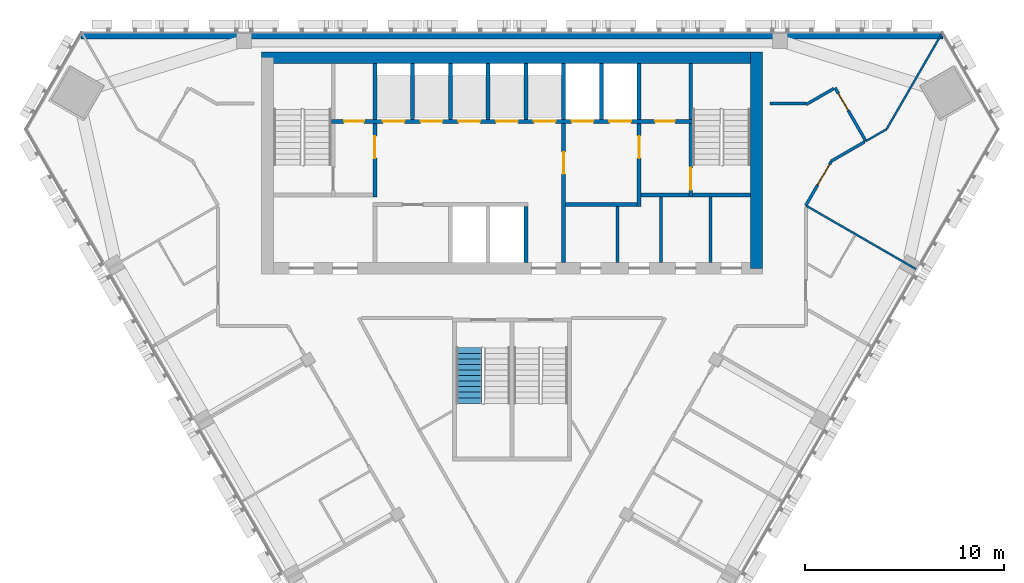
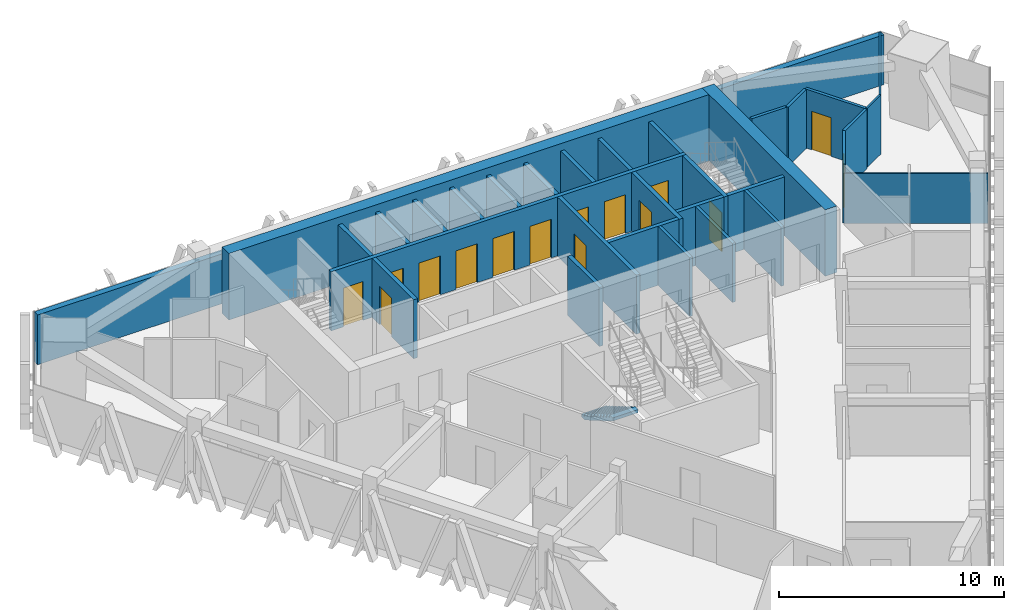
# One storey, part 10 of 14: 32 walls, 15 doors, 1 stair flight, 15 openings, 1 element without a shape of its own.
"""IFC4 building model written with IfcOpenShell, lengths in metres."""

from ifc_helpers import new_model, si_unit, direction, frame, frame_2d, origin, place, context, subcontext, project, spatial, polyline, rectangle, outline, extrude, material, layer, layer_set, type_object, element, fill, aggregate, save


model = new_model("IFC4")

# Units and contexts
model_context = context("Model", 3, precision=1e-05, world=origin(), true_north=direction((0.0, 1.0)))
body_context = subcontext(model_context, "Body", "Model", "MODEL_VIEW")
ifc_project = project(units=[si_unit("LENGTHUNIT", "METRE"), si_unit("AREAUNIT", "SQUARE_METRE"), si_unit("VOLUMEUNIT", "CUBIC_METRE"), si_unit("PLANEANGLEUNIT", "RADIAN"), si_unit("MASSUNIT", "GRAM", prefix="KILO")], contexts=[model_context])

# Site, building, storey
site_placement = place(None, origin())
site = spatial("IfcSite", under=ifc_project, at=site_placement, CompositionType="ELEMENT")
building_placement = place(site_placement, origin())
building = spatial("IfcBuilding", under=site, at=building_placement, Name="Altiplano Prism Tower", CompositionType="ELEMENT")
storey_placement = place(building_placement, frame((0.0, 0.0, 230.199951171875)))
storey = spatial("IfcBuildingStorey", under=building, at=storey_placement, Name="L59", CompositionType="ELEMENT", Elevation=230.199951171875)

# Walls
ifc_material_1 = material(Name="Concrete C60/75", Category="concrete")
ifc_layer_1 = layer(ifc_material_1, 0.60009765625)
ifc_layer_set_1 = layer_set([ifc_layer_1], Name="Concrete C60/75")
wall_type_1 = type_object("IfcWallType", Name="Core wall 600", PredefinedType="SHEAR", material=ifc_layer_set_1)
wall_1_placement = place(storey_placement, frame((97.300048828125, 93.10009765625, 0.0), z_axis=(0.0, 0.0, 1.0), x_axis=(0.0, 1.0, 0.0)))
element("IfcWall", 1, at=wall_1_placement, inside=storey, type_object=wall_type_1, Name="Core wall E L59", PredefinedType="SHEAR", context=body_context, shape_type="SweptSolid", body=[
    extrude(rectangle(XDim=10.89990234375, YDim=0.60009765625, at=frame_2d((5.449951171875, 0.0))), origin(), (0.0, 0.0, 1.0), 3.60009765625),
])
wall_2_placement = place(storey_placement, frame((97.300048828125, 103.699951171875, 0.0), z_axis=(0.0, 0.0, 1.0), x_axis=(-1.0, 0.0, 0.0)))
element("IfcWall", 2, at=wall_2_placement, inside=storey, type_object=wall_type_1, Name="Core wall N L59", PredefinedType="SHEAR", context=body_context, shape_type="SweptSolid", body=[
    extrude(rectangle(XDim=24.900146484375, YDim=0.60009765625, at=frame_2d((12.4501953125, 0.0))), origin(), (0.0, 0.0, 1.0), 3.60009765625),
])
ifc_material_2 = material(Name="Plasterboard on steel stud", Category="steel")
ifc_layer_2 = layer(ifc_material_2, 0.10009765625)
ifc_layer_set_2 = layer_set([ifc_layer_2], Name="Plasterboard on steel stud")
wall_type_2 = type_object("IfcWallType", Name="Partition 100 wet", PredefinedType="PARTITIONING", material=ifc_layer_set_2)
wall_3_placement = place(storey_placement, frame((105.3349609375, 93.0615234375, 0.0), z_axis=(0.0, 0.0, 1.0), x_axis=(-0.866025499775, 0.499999833739, 0.0)))
element("IfcWall", 3, at=wall_3_placement, inside=storey, type_object=wall_type_2, Name="Partition P03 L59 052", PredefinedType="PARTITIONING", context=body_context, shape_type="SweptSolid", body=[
    extrude(rectangle(XDim=6.39990234375, YDim=0.10009765625, at=frame_2d((3.199951171875, 0.0))), origin(), (0.0, 0.0, 1.0), 2.699951171875),
])
wall_4_placement = place(storey_placement, frame((106.6298828125, 104.89990234375, 0.0), z_axis=(0.0, 0.0, 1.0), x_axis=(-0.50001619095, -0.866016055733, 0.0)))
element("IfcWall", 4, at=wall_4_placement, inside=storey, type_object=wall_type_2, Name="Partition P03 L59 053", PredefinedType="PARTITIONING", context=body_context, shape_type="SweptSolid", body=[
    extrude(rectangle(XDim=5.539794921875, YDim=0.10009765625, at=frame_2d((2.77001953125, 0.0))), origin(), (0.0, 0.0, 1.0), 2.699951171875),
])
wall_5_placement = place(storey_placement, frame((103.85986328125, 100.102294921875, 0.0), z_axis=(0.0, 0.0, 1.0), x_axis=(-0.86599977965, -0.500044379676, 0.0)))
element("IfcWall", 5, at=wall_5_placement, inside=storey, type_object=wall_type_2, Name="Partition P03 L59 054", PredefinedType="PARTITIONING", context=body_context, shape_type="SweptSolid", body=[
    extrude(rectangle(XDim=1.20361328125, YDim=0.10009765625, at=frame_2d((0.601806640625, 0.0))), origin(), (0.0, 0.0, 1.0), 3.199951171875),
])

# Wall, opening, door
ifc_layer_3 = layer(ifc_material_2, 0.14990234375)
ifc_layer_set_3 = layer_set([ifc_layer_3], Name="Plasterboard on steel stud")
wall_type_3 = type_object("IfcWallType", Name="Partition 150 corridor", PredefinedType="PARTITIONING", material=ifc_layer_set_3)
wall_6_placement = place(storey_placement, frame((99.79248046875, 96.261474609375, 0.0), z_axis=(0.0, 0.0, 1.0), x_axis=(0.499948666432, 0.866055039205, 0.0)))
wall_6 = element("IfcWall", 6, at=wall_6_placement, inside=storey, type_object=wall_type_3, Name="Partition P06 L59 015", PredefinedType="PARTITIONING", context=body_context, shape_type="SweptSolid", body=[
    extrude(rectangle(XDim=2.584716796875, YDim=0.14990234375, at=frame_2d((1.29248046875, 0.0))), origin(), (0.0, 0.0, 1.0), 3.199951171875),
])
opening_1_placement = place(wall_6_placement, frame((1.18505859375, 0.0, 0.0)))
opening_1 = element("IfcOpeningElement", 7, at=opening_1_placement, cuts=wall_6, Name="Opening D1970", PredefinedType="OPENING", context=body_context, shape_type="SweptSolid", body=[
    extrude(rectangle(XDim=1.199951171875, YDim=2.10009765625, at=frame_2d((0.60009765625, 1.050048828125))), frame((0.0, 0.08544921875, 0.0), z_axis=(0.0, -1.0, 0.0), x_axis=(1.0, 0.0, 0.0)), (0.0, 0.0, 1.0), 0.1708984375),
])
ifc_material_3 = material(Name="Timber", Category="wood")
door_type_1 = type_object("IfcDoorType", Name="Shared room door 1200 x 2100", OperationType="NOTDEFINED", PredefinedType="NOTDEFINED", material=ifc_material_3)
door_1_placement = place(opening_1_placement, origin())
door_1 = element("IfcDoor", 8, at=door_1_placement, inside=storey, type_object=door_type_1, Name="Door D1970", OperationType="SINGLE_SWING_LEFT", OverallHeight=2.10009765625, OverallWidth=1.199951171875, PredefinedType="NOTDEFINED", context=body_context, shape_type="SweptSolid", body=[
    extrude(rectangle(XDim=1.199951171875, YDim=2.10009765625, at=frame_2d((0.60009765625, 1.050048828125))), frame((0.0, 0.02490234375, 0.0), z_axis=(0.0, -1.0, 0.0), x_axis=(1.0, 0.0, 0.0)), (0.0, 0.0, 1.0), 0.050048828125),
])
fill(opening_1, door_1)

# Wall
wall_7_placement = place(storey_placement, frame((101.084716796875, 98.5, 0.0), z_axis=(0.0, 0.0, 1.0), x_axis=(0.86605048973, 0.49995654735, 0.0)))
element("IfcWall", 9, at=wall_7_placement, inside=storey, type_object=wall_type_3, Name="Partition P06 L59 016", PredefinedType="PARTITIONING", context=body_context, shape_type="SweptSolid", body=[
    extrude(rectangle(XDim=1.926025390625, YDim=0.14990234375, at=frame_2d((0.962890625, 0.0))), origin(), (0.0, 0.0, 1.0), 3.199951171875),
])

# Wall, opening, door
wall_8_placement = place(storey_placement, frame((102.817626953125, 99.50048828125, 0.0), z_axis=(0.0, 0.0, 1.0), x_axis=(-0.50007687212, 0.865981017096, 0.0)))
wall_8 = element("IfcWall", 10, at=wall_8_placement, inside=storey, type_object=wall_type_3, Name="Partition P06 L59 020", PredefinedType="PARTITIONING", context=body_context, shape_type="SweptSolid", body=[
    extrude(rectangle(XDim=3.1005859375, YDim=0.14990234375, at=frame_2d((1.55029296875, 0.0))), origin(), (0.0, 0.0, 1.0), 3.199951171875),
])
opening_2_placement = place(wall_8_placement, frame((1.77587890625, 0.0, 0.0)))
opening_2 = element("IfcOpeningElement", 11, at=opening_2_placement, cuts=wall_8, Name="Opening D1972", PredefinedType="OPENING", context=body_context, shape_type="SweptSolid", body=[
    extrude(rectangle(XDim=1.0, YDim=2.10009765625, at=frame_2d((0.5, 1.050048828125))), frame((0.0, 0.08544921875, 0.0), z_axis=(0.0, -1.0, 0.0), x_axis=(1.0, 0.0, 0.0)), (0.0, 0.0, 1.0), 0.1708984375),
])
door_type_2 = type_object("IfcDoorType", Name="Room door 1000 x 2100", OperationType="NOTDEFINED", PredefinedType="NOTDEFINED", material=ifc_material_3)
door_2_placement = place(opening_2_placement, origin())
door_2 = element("IfcDoor", 12, at=door_2_placement, inside=storey, type_object=door_type_2, Name="Door D1972", OperationType="SINGLE_SWING_LEFT", OverallHeight=2.10009765625, OverallWidth=1.0, PredefinedType="NOTDEFINED", context=body_context, shape_type="SweptSolid", body=[
    extrude(rectangle(XDim=1.0, YDim=2.10009765625, at=frame_2d((0.5, 1.050048828125))), frame((0.0, 0.02490234375, 0.0), z_axis=(0.0, -1.0, 0.0), x_axis=(1.0, 0.0, 0.0)), (0.0, 0.0, 1.0), 0.050048828125),
])
fill(opening_2, door_2)

# Walls
wall_9_placement = place(storey_placement, frame((101.2021484375, 102.148193359375, 0.0), z_axis=(0.0, 0.0, 1.0), x_axis=(-0.866106948778, -0.499858733323, 0.0)))
element("IfcWall", 13, at=wall_9_placement, inside=storey, type_object=wall_type_3, Name="Partition P06 L59 021", PredefinedType="PARTITIONING", context=body_context, shape_type="SweptSolid", body=[
    extrude(rectangle(XDim=1.6025390625, YDim=0.14990234375, at=frame_2d((0.80126953125, 0.0))), origin(), (0.0, 0.0, 1.0), 3.199951171875),
])
wall_10_placement = place(storey_placement, frame((99.800048828125, 101.40087890625, 0.0), z_axis=(0.0, 0.0, 1.0), x_axis=(-1.0, 0.0, 0.0)))
element("IfcWall", 14, at=wall_10_placement, inside=storey, type_object=wall_type_3, Name="Partition P06 L59 022", PredefinedType="PARTITIONING", context=body_context, shape_type="SweptSolid", body=[
    extrude(rectangle(XDim=1.800048828125, YDim=0.14990234375, at=frame_2d((0.89990234375, 0.0))), origin(), (0.0, 0.0, 1.0), 3.199951171875),
])
ifc_material_4 = material(Name="Fire-rated gypsum board partition")
ifc_layer_4 = layer(ifc_material_4, 0.14990234375)
ifc_layer_set_4 = layer_set([ifc_layer_4], Name="Fire-rated gypsum board partition")
wall_type_4 = type_object("IfcWallType", Name="Room partition 150", PredefinedType="PARTITIONING", material=ifc_layer_set_4)
wall_11_placement = place(storey_placement, frame((90.300048828125, 93.39990234375, 0.0), z_axis=(0.0, 0.0, 1.0), x_axis=(0.0, 1.0, 0.0)))
element("IfcWall", 15, at=wall_11_placement, inside=storey, type_object=wall_type_4, Name="Room partition L59", PredefinedType="PARTITIONING", context=body_context, shape_type="SweptSolid", body=[
    extrude(rectangle(XDim=2.800048828125, YDim=0.14990234375, at=frame_2d((1.39990234375, 0.0))), origin(), (0.0, 0.0, 1.0), 3.199951171875),
])
for number, where, z_axis, x_axis, name in (
    (16, (92.5, 93.39990234375, 0.0), (0.0, 0.0, 1.0), (0.0, 1.0, 0.0), "Room partition L59"),
    (17, (95.0, 93.39990234375, 0.0), (0.0, 0.0, 1.0), (0.0, 1.0, 0.0), "Room partition L59"),
):
    element("IfcWall", number, at=place(storey_placement, frame(where, z_axis=z_axis, x_axis=x_axis)), inside=storey, type_object=wall_type_4, Name=name, PredefinedType="PARTITIONING", context=body_context, shape_type="SweptSolid", body=[
        extrude(rectangle(XDim=3.300048828125, YDim=0.14990234375, at=frame_2d((1.64990234375, 0.0))), origin(), (0.0, 0.0, 1.0), 3.199951171875),
    ])
ifc_layer_5 = layer(ifc_material_1, 0.199951171875)
ifc_layer_set_5 = layer_set([ifc_layer_5], Name="Concrete C60/75")
wall_type_5 = type_object("IfcWallType", Name="Shaft wall 200", PredefinedType="SOLIDWALL", material=ifc_layer_set_5)
wall_12_placement = place(storey_placement, frame((85.699951171875, 93.39990234375, 0.0), z_axis=(0.0, 0.0, 1.0), x_axis=(0.0, 1.0, 0.0)))
element("IfcWall", 18, at=wall_12_placement, inside=storey, type_object=wall_type_5, Name="Shaft wall L59", PredefinedType="SOLIDWALL", context=body_context, shape_type="SweptSolid", body=[
    extrude(rectangle(XDim=2.800048828125, YDim=0.199951171875, at=frame_2d((1.39990234375, 0.0))), origin(), (0.0, 0.0, 1.0), 3.199951171875),
])
for number, where, z_axis, x_axis, name in (
    (19, (78.10009765625, 100.60009765625, 0.0), (0.0, 0.0, 1.0), (0.0, 1.0, 0.0), "Shaft wall L59"),
    (20, (80.0, 100.60009765625, 0.0), (0.0, 0.0, 1.0), (0.0, 1.0, 0.0), "Shaft wall L59"),
    (21, (81.89990234375, 100.60009765625, 0.0), (0.0, 0.0, 1.0), (0.0, 1.0, 0.0), "Shaft wall L59"),
    (22, (83.800048828125, 100.60009765625, 0.0), (0.0, 0.0, 1.0), (0.0, 1.0, 0.0), "Shaft wall L59"),
    (23, (85.699951171875, 100.60009765625, 0.0), (0.0, 0.0, 1.0), (0.0, 1.0, 0.0), "Shaft wall L59"),
    (24, (87.60009765625, 100.60009765625, 0.0), (0.0, 0.0, 1.0), (0.0, 1.0, 0.0), "Shaft wall L59"),
    (25, (89.5, 100.60009765625, 0.0), (0.0, 0.0, 1.0), (0.0, 1.0, 0.0), "Shaft wall L59"),
    (26, (91.39990234375, 100.60009765625, 0.0), (0.0, 0.0, 1.0), (0.0, 1.0, 0.0), "Shaft wall L59"),
):
    element("IfcWall", number, at=place(storey_placement, frame(where, z_axis=z_axis, x_axis=x_axis)), inside=storey, type_object=wall_type_5, Name=name, PredefinedType="SOLIDWALL", context=body_context, shape_type="SweptSolid", body=[
        extrude(rectangle(XDim=2.7998046875, YDim=0.199951171875, at=frame_2d((1.39990234375, 0.0))), origin(), (0.0, 0.0, 1.0), 3.199951171875),
    ])

# Wall, opening, door
ifc_layer_6 = layer(ifc_material_1, 0.199951171875)
ifc_layer_set_6 = layer_set([ifc_layer_6], Name="Concrete C60/75")
wall_type_6 = type_object("IfcWallType", Name="Stair wall 200", PredefinedType="SOLIDWALL", material=ifc_layer_set_6)
wall_13_placement = place(storey_placement, frame((94.0, 96.699951171875, 0.0), z_axis=(0.0, 0.0, 1.0), x_axis=(0.0, 1.0, 0.0)))
wall_13 = element("IfcWall", 27, at=wall_13_placement, inside=storey, type_object=wall_type_6, Name="Stair wall L59", PredefinedType="SOLIDWALL", context=body_context, shape_type="SweptSolid", body=[
    extrude(rectangle(XDim=3.699951171875, YDim=0.199951171875, at=frame_2d((1.85009765625, 0.0))), origin(), (0.0, 0.0, 1.0), 3.199951171875),
])
opening_3_placement = place(wall_13_placement, frame((0.35009765625, 0.0, 0.0)))
opening_3 = element("IfcOpeningElement", 28, at=opening_3_placement, cuts=wall_13, Name="Opening D3400", PredefinedType="OPENING", context=body_context, shape_type="SweptSolid", body=[
    extrude(rectangle(XDim=1.10009765625, YDim=2.10009765625, at=frame_2d((0.550048828125, 1.050048828125))), frame((0.0, 0.1103515625, 0.0), z_axis=(0.0, -1.0, 0.0), x_axis=(1.0, 0.0, 0.0)), (0.0, 0.0, 1.0), 0.220947265625),
])
ifc_material_5 = material(Name="Fire-rated steel door", Category="steel")
door_type_3 = type_object("IfcDoorType", Name="Stair fire door 1100 x 2100", OperationType="NOTDEFINED", PredefinedType="NOTDEFINED", material=ifc_material_5)
door_3_placement = place(opening_3_placement, origin())
door_3 = element("IfcDoor", 29, at=door_3_placement, inside=storey, type_object=door_type_3, Name="Stair fire door D3400", OperationType="SINGLE_SWING_LEFT", OverallHeight=2.10009765625, OverallWidth=1.10009765625, PredefinedType="NOTDEFINED", context=body_context, shape_type="SweptSolid", body=[
    extrude(rectangle(XDim=1.10009765625, YDim=2.10009765625, at=frame_2d((0.550048828125, 1.050048828125))), frame((0.0, 0.02490234375, 0.0), z_axis=(0.0, -1.0, 0.0), x_axis=(1.0, 0.0, 0.0)), (0.0, 0.0, 1.0), 0.050048828125),
])
fill(opening_3, door_3)

# Wall
wall_14_placement = place(storey_placement, frame((94.10009765625, 96.800048828125, 0.0), z_axis=(0.0, 0.0, 1.0), x_axis=(1.0, 0.0, 0.0)))
element("IfcWall", 30, at=wall_14_placement, inside=storey, type_object=wall_type_6, Name="Stair wall L59", PredefinedType="SOLIDWALL", context=body_context, shape_type="SweptSolid", body=[
    extrude(rectangle(XDim=2.89990234375, YDim=0.199951171875, at=frame_2d((1.449951171875, 0.0))), origin(), (0.0, 0.0, 1.0), 3.199951171875),
])

# Wall, openings, doors
wall_15_placement = place(storey_placement, frame((75.89990234375, 100.5, 0.0), z_axis=(0.0, 0.0, 1.0), x_axis=(1.0, 0.0, 0.0)))
wall_15 = element("IfcWall", 31, at=wall_15_placement, inside=storey, type_object=wall_type_6, Name="Stair wall L59", PredefinedType="SOLIDWALL", context=body_context, shape_type="SweptSolid", body=[
    extrude(rectangle(XDim=18.2001953125, YDim=0.199951171875, at=frame_2d((9.10009765625, 0.0))), origin(), (0.0, 0.0, 1.0), 3.199951171875),
])
opening_4_placement = place(wall_15_placement, frame((2.60009765625, 0.0, 0.0)))
opening_4 = element("IfcOpeningElement", 32, at=opening_4_placement, cuts=wall_15, Name="Opening LD-ML1-L59", PredefinedType="OPENING", context=body_context, shape_type="SweptSolid", body=[
    extrude(rectangle(XDim=1.10009765625, YDim=2.10009765625, at=frame_2d((0.550048828125, 1.050048828125))), frame((0.0, 0.1103515625, 0.0), z_axis=(0.0, -1.0, 0.0), x_axis=(1.0, 0.0, 0.0)), (0.0, 0.0, 1.0), 0.220947265625),
])
opening_5_placement = place(wall_15_placement, frame((4.5, 0.0, 0.0)))
opening_5 = element("IfcOpeningElement", 33, at=opening_5_placement, cuts=wall_15, Name="Opening LD-ML2-L59", PredefinedType="OPENING", context=body_context, shape_type="SweptSolid", body=[
    extrude(rectangle(XDim=1.10009765625, YDim=2.10009765625, at=frame_2d((0.550048828125, 1.050048828125))), frame((0.0, 0.1103515625, 0.0), z_axis=(0.0, -1.0, 0.0), x_axis=(1.0, 0.0, 0.0)), (0.0, 0.0, 1.0), 0.220947265625),
])
opening_6_placement = place(wall_15_placement, frame((6.39990234375, 0.0, 0.0)))
opening_6 = element("IfcOpeningElement", 34, at=opening_6_placement, cuts=wall_15, Name="Opening LD-ML3-L59", PredefinedType="OPENING", context=body_context, shape_type="SweptSolid", body=[
    extrude(rectangle(XDim=1.10009765625, YDim=2.10009765625, at=frame_2d((0.550048828125, 1.050048828125))), frame((0.0, 0.1103515625, 0.0), z_axis=(0.0, -1.0, 0.0), x_axis=(1.0, 0.0, 0.0)), (0.0, 0.0, 1.0), 0.220947265625),
])
opening_7_placement = place(wall_15_placement, frame((8.300048828125, 0.0, 0.0)))
opening_7 = element("IfcOpeningElement", 35, at=opening_7_placement, cuts=wall_15, Name="Opening LD-ML4-L59", PredefinedType="OPENING", context=body_context, shape_type="SweptSolid", body=[
    extrude(rectangle(XDim=1.10009765625, YDim=2.10009765625, at=frame_2d((0.550048828125, 1.050048828125))), frame((0.0, 0.1103515625, 0.0), z_axis=(0.0, -1.0, 0.0), x_axis=(1.0, 0.0, 0.0)), (0.0, 0.0, 1.0), 0.220947265625),
])
opening_8_placement = place(wall_15_placement, frame((10.199951171875, 0.0, 0.0)))
opening_8 = element("IfcOpeningElement", 36, at=opening_8_placement, cuts=wall_15, Name="Opening LD-ML5-L59", PredefinedType="OPENING", context=body_context, shape_type="SweptSolid", body=[
    extrude(rectangle(XDim=1.10009765625, YDim=2.10009765625, at=frame_2d((0.550048828125, 1.050048828125))), frame((0.0, 0.1103515625, 0.0), z_axis=(0.0, -1.0, 0.0), x_axis=(1.0, 0.0, 0.0)), (0.0, 0.0, 1.0), 0.220947265625),
])
opening_9_placement = place(wall_15_placement, frame((12.10009765625, 0.0, 0.0)))
opening_9 = element("IfcOpeningElement", 37, at=opening_9_placement, cuts=wall_15, Name="Opening LD-FF1-L59", PredefinedType="OPENING", context=body_context, shape_type="SweptSolid", body=[
    extrude(rectangle(XDim=1.10009765625, YDim=2.10009765625, at=frame_2d((0.550048828125, 1.050048828125))), frame((0.0, 0.1103515625, 0.0), z_axis=(0.0, -1.0, 0.0), x_axis=(1.0, 0.0, 0.0)), (0.0, 0.0, 1.0), 0.220947265625),
])
opening_10_placement = place(wall_15_placement, frame((14.0, 0.0, 0.0)))
opening_10 = element("IfcOpeningElement", 38, at=opening_10_placement, cuts=wall_15, Name="Opening LD-FF2-L59", PredefinedType="OPENING", context=body_context, shape_type="SweptSolid", body=[
    extrude(rectangle(XDim=1.10009765625, YDim=2.10009765625, at=frame_2d((0.550048828125, 1.050048828125))), frame((0.0, 0.1103515625, 0.0), z_axis=(0.0, -1.0, 0.0), x_axis=(1.0, 0.0, 0.0)), (0.0, 0.0, 1.0), 0.220947265625),
])
opening_11_placement = place(wall_15_placement, frame((0.64990234375, 0.0, 0.0)))
opening_11 = element("IfcOpeningElement", 39, at=opening_11_placement, cuts=wall_15, Name="Opening D3407", PredefinedType="OPENING", context=body_context, shape_type="SweptSolid", body=[
    extrude(rectangle(XDim=1.0, YDim=2.10009765625, at=frame_2d((0.5, 1.050048828125))), frame((0.0, 0.1103515625, 0.0), z_axis=(0.0, -1.0, 0.0), x_axis=(1.0, 0.0, 0.0)), (0.0, 0.0, 1.0), 0.220947265625),
])
opening_12_placement = place(wall_15_placement, frame((16.300048828125, 0.0, 0.0)))
opening_12 = element("IfcOpeningElement", 40, at=opening_12_placement, cuts=wall_15, Name="Opening D3408", PredefinedType="OPENING", context=body_context, shape_type="SweptSolid", body=[
    extrude(rectangle(XDim=1.0, YDim=2.10009765625, at=frame_2d((0.5, 1.050048828125))), frame((0.0, 0.1103515625, 0.0), z_axis=(0.0, -1.0, 0.0), x_axis=(1.0, 0.0, 0.0)), (0.0, 0.0, 1.0), 0.220947265625),
])
door_type_4 = type_object("IfcDoorType", Name="Core room door 1000 x 2100", OperationType="NOTDEFINED", PredefinedType="NOTDEFINED", material=ifc_material_5)
door_4_placement = place(opening_11_placement, origin())
door_4 = element("IfcDoor", 41, at=door_4_placement, inside=storey, type_object=door_type_4, Name="Core room door D3407", OperationType="SINGLE_SWING_LEFT", OverallHeight=2.10009765625, OverallWidth=1.0, PredefinedType="NOTDEFINED", context=body_context, shape_type="SweptSolid", body=[
    extrude(rectangle(XDim=1.0, YDim=2.10009765625, at=frame_2d((0.5, 1.050048828125))), frame((0.0, 0.02490234375, 0.0), z_axis=(0.0, -1.0, 0.0), x_axis=(1.0, 0.0, 0.0)), (0.0, 0.0, 1.0), 0.050048828125),
])
fill(opening_11, door_4)
door_5_placement = place(opening_12_placement, origin())
door_5 = element("IfcDoor", 42, at=door_5_placement, inside=storey, type_object=door_type_4, Name="Core room door D3408", OperationType="SINGLE_SWING_RIGHT", OverallHeight=2.10009765625, OverallWidth=1.0, PredefinedType="NOTDEFINED", context=body_context, shape_type="SweptSolid", body=[
    extrude(rectangle(XDim=1.0, YDim=2.10009765625, at=frame_2d((0.5, 1.050048828125))), frame((0.0, 0.02490234375, 0.0), z_axis=(0.0, -1.0, 0.0), x_axis=(1.0, 0.0, 0.0)), (0.0, 0.0, 1.0), 0.050048828125),
])
fill(opening_12, door_5)
ifc_material_6 = material(Name="Stainless steel landing door", Category="steel")
door_type_5 = type_object("IfcDoorType", Name="Landing door 1100 x 2100", OperationType="NOTDEFINED", PredefinedType="NOTDEFINED", material=ifc_material_6)
door_6_placement = place(opening_4_placement, origin())
door_6 = element("IfcDoor", 43, at=door_6_placement, inside=storey, type_object=door_type_5, Name="Landing doors ML1", OperationType="SLIDING_TO_RIGHT", OverallHeight=2.10009765625, OverallWidth=1.10009765625, PredefinedType="NOTDEFINED", context=body_context, shape_type="SweptSolid", body=[
    extrude(rectangle(XDim=1.10009765625, YDim=2.10009765625, at=frame_2d((0.550048828125, 1.050048828125))), frame((0.0, 0.02490234375, 0.0), z_axis=(0.0, -1.0, 0.0), x_axis=(1.0, 0.0, 0.0)), (0.0, 0.0, 1.0), 0.050048828125),
])
fill(opening_4, door_6)
door_7_placement = place(opening_5_placement, origin())
door_7 = element("IfcDoor", 44, at=door_7_placement, inside=storey, type_object=door_type_5, Name="Landing doors ML2", OperationType="SLIDING_TO_LEFT", OverallHeight=2.10009765625, OverallWidth=1.10009765625, PredefinedType="NOTDEFINED", context=body_context, shape_type="SweptSolid", body=[
    extrude(rectangle(XDim=1.10009765625, YDim=2.10009765625, at=frame_2d((0.550048828125, 1.050048828125))), frame((0.0, 0.02490234375, 0.0), z_axis=(0.0, -1.0, 0.0), x_axis=(1.0, 0.0, 0.0)), (0.0, 0.0, 1.0), 0.050048828125),
])
fill(opening_5, door_7)
door_8_placement = place(opening_6_placement, origin())
door_8 = element("IfcDoor", 45, at=door_8_placement, inside=storey, type_object=door_type_5, Name="Landing doors ML3", OperationType="SLIDING_TO_RIGHT", OverallHeight=2.10009765625, OverallWidth=1.10009765625, PredefinedType="NOTDEFINED", context=body_context, shape_type="SweptSolid", body=[
    extrude(rectangle(XDim=1.10009765625, YDim=2.10009765625, at=frame_2d((0.550048828125, 1.050048828125))), frame((0.0, 0.02490234375, 0.0), z_axis=(0.0, -1.0, 0.0), x_axis=(1.0, 0.0, 0.0)), (0.0, 0.0, 1.0), 0.050048828125),
])
fill(opening_6, door_8)
door_9_placement = place(opening_7_placement, origin())
door_9 = element("IfcDoor", 46, at=door_9_placement, inside=storey, type_object=door_type_5, Name="Landing doors ML4", OperationType="SLIDING_TO_LEFT", OverallHeight=2.10009765625, OverallWidth=1.10009765625, PredefinedType="NOTDEFINED", context=body_context, shape_type="SweptSolid", body=[
    extrude(rectangle(XDim=1.10009765625, YDim=2.10009765625, at=frame_2d((0.550048828125, 1.050048828125))), frame((0.0, 0.02490234375, 0.0), z_axis=(0.0, -1.0, 0.0), x_axis=(1.0, 0.0, 0.0)), (0.0, 0.0, 1.0), 0.050048828125),
])
fill(opening_7, door_9)
door_10_placement = place(opening_8_placement, origin())
door_10 = element("IfcDoor", 47, at=door_10_placement, inside=storey, type_object=door_type_5, Name="Landing doors ML5", OperationType="SLIDING_TO_RIGHT", OverallHeight=2.10009765625, OverallWidth=1.10009765625, PredefinedType="NOTDEFINED", context=body_context, shape_type="SweptSolid", body=[
    extrude(rectangle(XDim=1.10009765625, YDim=2.10009765625, at=frame_2d((0.550048828125, 1.050048828125))), frame((0.0, 0.02490234375, 0.0), z_axis=(0.0, -1.0, 0.0), x_axis=(1.0, 0.0, 0.0)), (0.0, 0.0, 1.0), 0.050048828125),
])
fill(opening_8, door_10)
door_11_placement = place(opening_9_placement, origin())
door_11 = element("IfcDoor", 48, at=door_11_placement, inside=storey, type_object=door_type_5, Name="Landing doors FF1", OperationType="SLIDING_TO_RIGHT", OverallHeight=2.10009765625, OverallWidth=1.10009765625, PredefinedType="NOTDEFINED", context=body_context, shape_type="SweptSolid", body=[
    extrude(rectangle(XDim=1.10009765625, YDim=2.10009765625, at=frame_2d((0.550048828125, 1.050048828125))), frame((0.0, 0.02490234375, 0.0), z_axis=(0.0, -1.0, 0.0), x_axis=(1.0, 0.0, 0.0)), (0.0, 0.0, 1.0), 0.050048828125),
])
fill(opening_9, door_11)
door_12_placement = place(opening_10_placement, origin())
door_12 = element("IfcDoor", 49, at=door_12_placement, inside=storey, type_object=door_type_5, Name="Landing doors FF2", OperationType="SLIDING_TO_LEFT", OverallHeight=2.10009765625, OverallWidth=1.10009765625, PredefinedType="NOTDEFINED", context=body_context, shape_type="SweptSolid", body=[
    extrude(rectangle(XDim=1.10009765625, YDim=2.10009765625, at=frame_2d((0.550048828125, 1.050048828125))), frame((0.0, 0.02490234375, 0.0), z_axis=(0.0, -1.0, 0.0), x_axis=(1.0, 0.0, 0.0)), (0.0, 0.0, 1.0), 0.050048828125),
])
fill(opening_10, door_12)

# Walls
wall_16_placement = place(storey_placement, frame((94.0, 100.60009765625, 0.0), z_axis=(0.0, 0.0, 1.0), x_axis=(0.0, 1.0, 0.0)))
element("IfcWall", 50, at=wall_16_placement, inside=storey, type_object=wall_type_6, Name="Stair wall L59", PredefinedType="SOLIDWALL", context=body_context, shape_type="SweptSolid", body=[
    extrude(rectangle(XDim=2.7998046875, YDim=0.199951171875, at=frame_2d((1.39990234375, 0.0))), origin(), (0.0, 0.0, 1.0), 3.199951171875),
])
ifc_material_7 = material(Name="Concrete C40", Category="concrete")
ifc_layer_7 = layer(ifc_material_7, 0.300048828125)
ifc_layer_set_7 = layer_set([ifc_layer_7], Name="Concrete C40")
wall_type_7 = type_object("IfcWallType", Name="Stone-clad external wall 300", PredefinedType="SOLIDWALL", material=ifc_layer_set_7)
wall_17_placement = place(storey_placement, frame((63.312255859375, 104.7900390625, 0.0), z_axis=(0.0, 0.0, 1.0), x_axis=(1.0, 0.0, 0.0)))
element("IfcWall", 51, at=wall_17_placement, inside=storey, type_object=wall_type_7, Name="External wall north face L59", PredefinedType="SOLIDWALL", context=body_context, shape_type="SweptSolid", body=[
    extrude(rectangle(XDim=43.37548828125, YDim=0.300048828125, at=frame_2d((21.687744140625, 0.0))), origin(), (0.0, 0.0, 1.0), 2.699951171875),
])

# Wall, opening, door
ifc_layer_8 = layer(ifc_material_1, 0.199951171875)
ifc_layer_set_8 = layer_set([ifc_layer_8], Name="Concrete C60/75")
wall_type_8 = type_object("IfcWallType", Name="Vestibule wall 200", PredefinedType="PARTITIONING", material=ifc_layer_set_8)
wall_18_placement = place(storey_placement, frame((87.60009765625, 93.39990234375, 0.0), z_axis=(0.0, 0.0, 1.0), x_axis=(0.0, 1.0, 0.0)))
wall_18 = element("IfcWall", 52, at=wall_18_placement, inside=storey, type_object=wall_type_8, Name="Vestibule wall L59", PredefinedType="PARTITIONING", context=body_context, shape_type="SweptSolid", body=[
    extrude(rectangle(XDim=7.0, YDim=0.199951171875, at=frame_2d((3.5, 0.0))), origin(), (0.0, 0.0, 1.0), 3.199951171875),
])
opening_13_placement = place(wall_18_placement, frame((4.449951171875, 0.0, 0.0)))
opening_13 = element("IfcOpeningElement", 53, at=opening_13_placement, cuts=wall_18, Name="Opening D3402", PredefinedType="OPENING", context=body_context, shape_type="SweptSolid", body=[
    extrude(rectangle(XDim=1.10009765625, YDim=2.10009765625, at=frame_2d((0.550048828125, 1.050048828125))), frame((0.0, 0.1103515625, 0.0), z_axis=(0.0, -1.0, 0.0), x_axis=(1.0, 0.0, 0.0)), (0.0, 0.0, 1.0), 0.220947265625),
])
door_type_6 = type_object("IfcDoorType", Name="Vestibule fire door 1100 x 2100", OperationType="NOTDEFINED", PredefinedType="NOTDEFINED", material=ifc_material_5)
door_13_placement = place(opening_13_placement, origin())
door_13 = element("IfcDoor", 54, at=door_13_placement, inside=storey, type_object=door_type_6, Name="Vestibule fire door D3402", OperationType="SINGLE_SWING_RIGHT", OverallHeight=2.10009765625, OverallWidth=1.10009765625, PredefinedType="NOTDEFINED", context=body_context, shape_type="SweptSolid", body=[
    extrude(rectangle(XDim=1.10009765625, YDim=2.10009765625, at=frame_2d((0.550048828125, 1.050048828125))), frame((0.0, 0.02490234375, 0.0), z_axis=(0.0, -1.0, 0.0), x_axis=(1.0, 0.0, 0.0)), (0.0, 0.0, 1.0), 0.050048828125),
])
fill(opening_13, door_13)

# Wall
wall_19_placement = place(storey_placement, frame((87.699951171875, 96.300048828125, 0.0), z_axis=(0.0, 0.0, 1.0), x_axis=(1.0, 0.0, 0.0)))
element("IfcWall", 55, at=wall_19_placement, inside=storey, type_object=wall_type_8, Name="Vestibule wall L59", PredefinedType="PARTITIONING", context=body_context, shape_type="SweptSolid", body=[
    extrude(rectangle(XDim=3.60009765625, YDim=0.199951171875, at=frame_2d((1.800048828125, 0.0))), origin(), (0.0, 0.0, 1.0), 3.199951171875),
])

# Wall, opening, door
wall_20_placement = place(storey_placement, frame((91.39990234375, 96.199951171875, 0.0), z_axis=(0.0, 0.0, 1.0), x_axis=(0.0, 1.0, 0.0)))
wall_20 = element("IfcWall", 56, at=wall_20_placement, inside=storey, type_object=wall_type_8, Name="Vestibule wall L59", PredefinedType="PARTITIONING", context=body_context, shape_type="SweptSolid", body=[
    extrude(rectangle(XDim=4.199951171875, YDim=0.199951171875, at=frame_2d((2.10009765625, 0.0))), origin(), (0.0, 0.0, 1.0), 3.199951171875),
])
opening_14_placement = place(wall_20_placement, frame((2.449951171875, 0.0, 0.0)))
opening_14 = element("IfcOpeningElement", 57, at=opening_14_placement, cuts=wall_20, Name="Opening D3403", PredefinedType="OPENING", context=body_context, shape_type="SweptSolid", body=[
    extrude(rectangle(XDim=1.10009765625, YDim=2.10009765625, at=frame_2d((0.550048828125, 1.050048828125))), frame((0.0, 0.1103515625, 0.0), z_axis=(0.0, -1.0, 0.0), x_axis=(1.0, 0.0, 0.0)), (0.0, 0.0, 1.0), 0.220947265625),
])
door_14_placement = place(opening_14_placement, origin())
door_14 = element("IfcDoor", 58, at=door_14_placement, inside=storey, type_object=door_type_6, Name="Vestibule fire door D3403", OperationType="SINGLE_SWING_LEFT", OverallHeight=2.10009765625, OverallWidth=1.10009765625, PredefinedType="NOTDEFINED", context=body_context, shape_type="SweptSolid", body=[
    extrude(rectangle(XDim=1.10009765625, YDim=2.10009765625, at=frame_2d((0.550048828125, 1.050048828125))), frame((0.0, 0.02490234375, 0.0), z_axis=(0.0, -1.0, 0.0), x_axis=(1.0, 0.0, 0.0)), (0.0, 0.0, 1.0), 0.050048828125),
])
fill(opening_14, door_14)

wall_21_placement = place(storey_placement, frame((78.10009765625, 96.699951171875, 0.0), z_axis=(0.0, 0.0, 1.0), x_axis=(0.0, 1.0, 0.0)))
wall_21 = element("IfcWall", 59, at=wall_21_placement, inside=storey, type_object=wall_type_8, Name="Vestibule wall L59", PredefinedType="PARTITIONING", context=body_context, shape_type="SweptSolid", body=[
    extrude(rectangle(XDim=3.699951171875, YDim=0.199951171875, at=frame_2d((1.85009765625, 0.0))), origin(), (0.0, 0.0, 1.0), 3.199951171875),
])
opening_15_placement = place(wall_21_placement, frame((1.949951171875, 0.0, 0.0)))
opening_15 = element("IfcOpeningElement", 60, at=opening_15_placement, cuts=wall_21, Name="Opening D3401", PredefinedType="OPENING", context=body_context, shape_type="SweptSolid", body=[
    extrude(rectangle(XDim=1.10009765625, YDim=2.10009765625, at=frame_2d((0.550048828125, 1.050048828125))), frame((0.0, 0.1103515625, 0.0), z_axis=(0.0, -1.0, 0.0), x_axis=(1.0, 0.0, 0.0)), (0.0, 0.0, 1.0), 0.220947265625),
])
door_15_placement = place(opening_15_placement, origin())
door_15 = element("IfcDoor", 61, at=door_15_placement, inside=storey, type_object=door_type_6, Name="Vestibule fire door D3401", OperationType="SINGLE_SWING_LEFT", OverallHeight=2.10009765625, OverallWidth=1.10009765625, PredefinedType="NOTDEFINED", context=body_context, shape_type="SweptSolid", body=[
    extrude(rectangle(XDim=1.10009765625, YDim=2.10009765625, at=frame_2d((0.550048828125, 1.050048828125))), frame((0.0, 0.02490234375, 0.0), z_axis=(0.0, -1.0, 0.0), x_axis=(1.0, 0.0, 0.0)), (0.0, 0.0, 1.0), 0.050048828125),
])
fill(opening_15, door_15)

# Wall
wall_22_placement = place(storey_placement, frame((91.5, 96.800048828125, 0.0), z_axis=(0.0, 0.0, 1.0), x_axis=(1.0, 0.0, 0.0)))
element("IfcWall", 62, at=wall_22_placement, inside=storey, type_object=wall_type_8, Name="Vestibule wall L59", PredefinedType="PARTITIONING", context=body_context, shape_type="SweptSolid", body=[
    extrude(rectangle(XDim=2.39990234375, YDim=0.199951171875, at=frame_2d((1.199951171875, 0.0))), origin(), (0.0, 0.0, 1.0), 3.199951171875),
])

# Stair, stair flight
ifc_material_8 = material(Name="Concrete C40/50", Category="concrete")
stair_type = type_object("IfcStairType", Name="Exit stair 1300", PredefinedType="HALF_TURN_STAIR", material=ifc_material_8)
stair_placement = place(storey_placement, origin())
stair = element("IfcStair", 63, at=stair_placement, inside=storey, type_object=stair_type, Name="L59 Exit Stair 3A", PredefinedType="HALF_TURN_STAIR")
stair_flight_type = type_object("IfcStairFlightType", Name="Stair flight concrete 150", PredefinedType="STRAIGHT", material=ifc_material_8)
stair_flight_placement = place(storey_placement, frame((82.85009765625, 89.10009765625, 0.0), z_axis=(0.0, 0.0, 1.0), x_axis=(0.0, -1.0, 0.0)))
stair_flight = element("IfcStairFlight", 64, at=stair_flight_placement, type_object=stair_flight_type, Name="ST3A flight 1", NumberOfRisers=11, NumberOfTreads=10, PredefinedType="STRAIGHT", RiserHeight=0.163636364, TreadLength=0.28, context=body_context, shape_type="SweptSolid", body=[
    extrude(outline(polyline([(0.0, 0.0), (0.0, 0.16357421875), (0.280029296875, 0.16357421875), (0.280029296875, 0.327392578125), (0.56005859375, 0.327392578125), (0.56005859375, 0.490966796875), (0.840087890625, 0.490966796875), (0.840087890625, 0.654541015625), (1.1201171875, 0.654541015625), (1.1201171875, 0.818115234375), (1.39990234375, 0.818115234375), (1.39990234375, 0.98193359375), (1.679931640625, 0.98193359375), (1.679931640625, 1.1455078125), (1.9599609375, 1.1455078125), (1.9599609375, 1.30908203125), (2.239990234375, 1.30908203125), (2.239990234375, 1.47265625), (2.52001953125, 1.47265625), (2.52001953125, 1.636474609375), (2.800048828125, 1.636474609375), (2.800048828125, 1.800048828125), (2.800048828125, 1.462646484375), (0.297119140625, 0.0), (0.0, 0.0)])), frame((0.0, 0.64990234375, 0.0), z_axis=(0.0, -1.0, 0.0), x_axis=(1.0, 0.0, 0.0)), (0.0, 0.0, 1.0), 1.300048828125),
])
aggregate(stair, [stair_flight])

save(model, "model.ifc")
